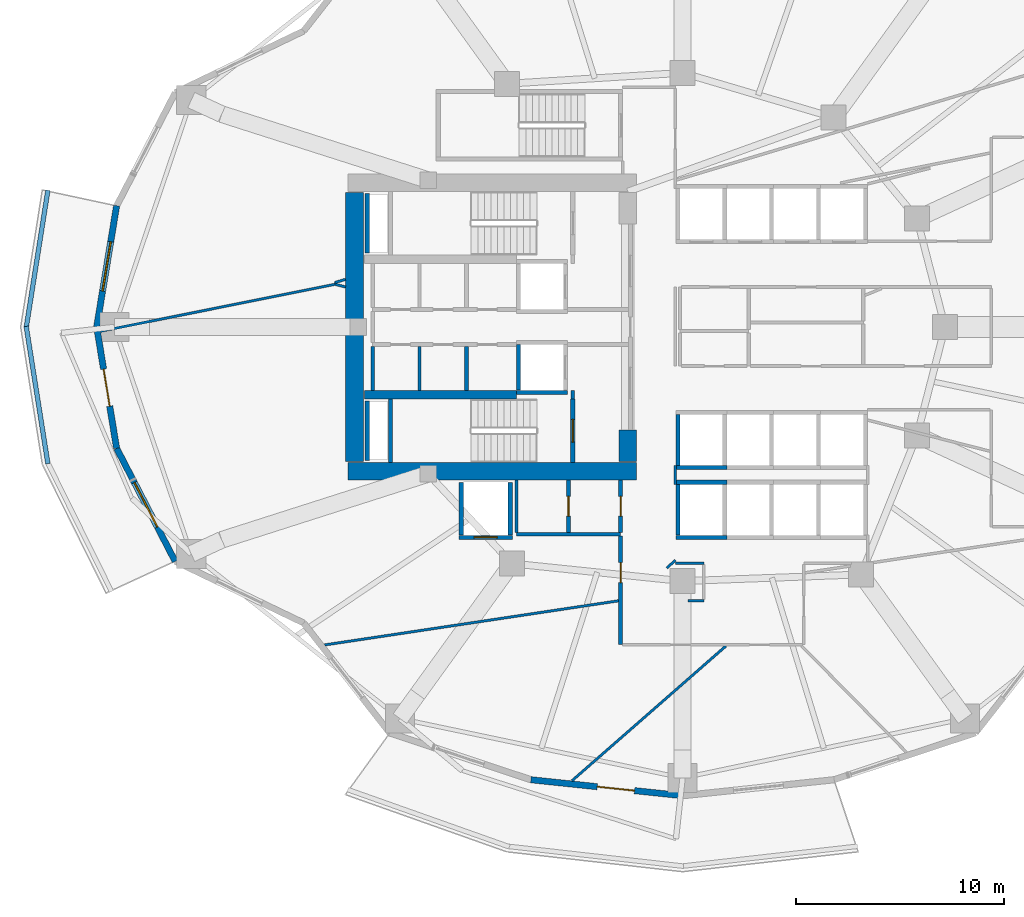
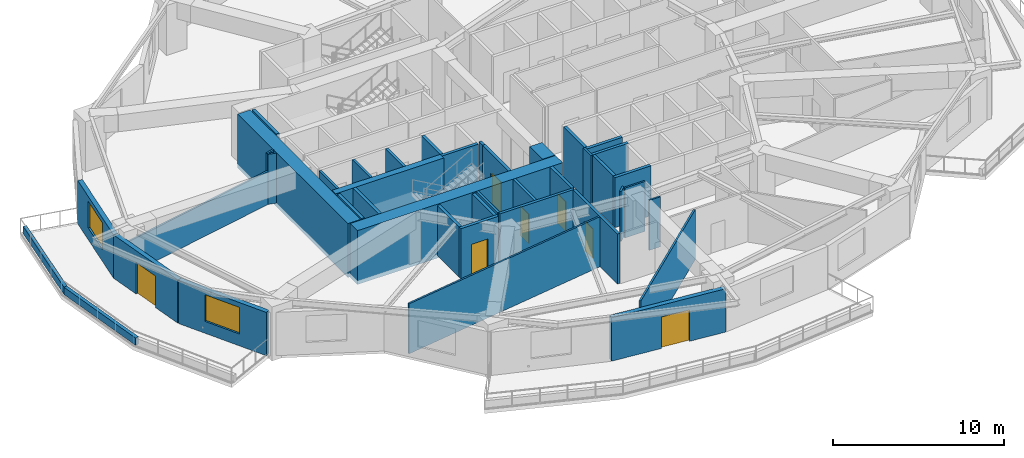
# One storey, part 3 of 13: 42 walls, 7 doors, 2 windows, 9 openings.
"""IFC4 building model written with IfcOpenShell, lengths in metres."""

from ifc_helpers import new_model, si_unit, direction, frame, frame_2d, origin, place, context, subcontext, project, spatial, rectangle, extrude, material, layer, layer_set, type_object, element, fill, save


model = new_model("IFC4")

# Units and contexts
model_context = context("Model", 3, precision=1e-05, world=origin(), true_north=direction((0.0, 1.0)))
body_context = subcontext(model_context, "Body", "Model", "MODEL_VIEW")
ifc_project = project(units=[si_unit("LENGTHUNIT", "METRE"), si_unit("AREAUNIT", "SQUARE_METRE"), si_unit("VOLUMEUNIT", "CUBIC_METRE"), si_unit("PLANEANGLEUNIT", "RADIAN"), si_unit("MASSUNIT", "GRAM", prefix="KILO")], contexts=[model_context])

# Site, building, storey
site_placement = place(None, origin())
site = spatial("IfcSite", under=ifc_project, at=site_placement, CompositionType="ELEMENT")
building_placement = place(site_placement, origin())
building = spatial("IfcBuilding", under=site, at=building_placement, Name="Kolvaren Gate Tower and Convention Centre", CompositionType="ELEMENT")
storey_placement = place(building_placement, frame((0.0, 0.0, 49.60009765625)))
storey = spatial("IfcBuildingStorey", under=building, at=storey_placement, Name="L11", CompositionType="ELEMENT", Elevation=49.60009765625)

# Walls
ifc_material_1 = material(Name="Autoclaved Aerated Masonry Blockwork Class 4 (4.0 MPa)", Category="masonry")
ifc_layer_1 = layer(ifc_material_1, 0.179931640625)
ifc_layer_set_1 = layer_set([ifc_layer_1], Name="Autoclaved Aerated Masonry Blockwork Class 4 (4.0 MPa)")
wall_type_1 = type_object("IfcWallType", Name="ARCH-WL-COMP-180", PredefinedType="SOLIDWALL", material=ifc_layer_set_1)
wall_1_placement = place(storey_placement, frame((24.85009765625, 23.5400390625, 0.0), z_axis=(0.0, 0.0, 1.0), x_axis=(0.0, 1.0, 0.0)))
element("IfcWall", 1, at=wall_1_placement, inside=storey, type_object=wall_type_1, Name="Interior Partition WL-L11-INT-001", PredefinedType="SOLIDWALL", context=body_context, shape_type="SweptSolid", body=[
    extrude(rectangle(XDim=0.419921875, YDim=0.179931640625, at=frame_2d((0.2099609375, 0.0))), origin(), (0.0, 0.0, 1.0), 3.56982421875),
])
wall_2_placement = place(storey_placement, frame((19.75, 23.9619140625, 0.0), z_axis=(0.0, 0.0, 1.0), x_axis=(0.0, 1.0, 0.0)))
element("IfcWall", 2, at=wall_2_placement, inside=storey, type_object=wall_type_1, Name="Interior Partition WL-L11-INT-007", PredefinedType="SOLIDWALL", context=body_context, shape_type="SweptSolid", body=[
    extrude(rectangle(XDim=2.106201171875, YDim=0.179931640625, at=frame_2d((1.05322265625, 0.0))), origin(), (0.0, 0.0, 1.0), 3.56982421875),
])
wall_3_placement = place(storey_placement, frame((22.14990234375, 17.050048828125, 0.0), z_axis=(0.0, 0.0, 1.0), x_axis=(1.0, 0.0, 0.0)))
element("IfcWall", 3, at=wall_3_placement, inside=storey, type_object=wall_type_1, Name="Interior Partition WL-L11-INT-011", PredefinedType="SOLIDWALL", context=body_context, shape_type="SweptSolid", body=[
    extrude(rectangle(XDim=5.0, YDim=0.179931640625, at=frame_2d((2.5, 0.0))), origin(), (0.0, 0.0, 1.0), 3.56982421875),
])

# Wall, opening, door
wall_4_placement = place(storey_placement, frame((24.64990234375, 17.14208984375, 0.0), z_axis=(0.0, 0.0, 1.0), x_axis=(0.0, 1.0, 0.0)))
wall_4 = element("IfcWall", 4, at=wall_4_placement, inside=storey, type_object=wall_type_1, Name="Interior Partition WL-L11-INT-013", PredefinedType="SOLIDWALL", context=body_context, shape_type="SweptSolid", body=[
    extrude(rectangle(XDim=2.505859375, YDim=0.179931640625, at=frame_2d((1.2529296875, 0.0))), origin(), (0.0, 0.0, 1.0), 3.56982421875),
])
opening_1_placement = place(wall_4_placement, frame((0.778076171875, 0.0, 0.0)))
opening_1 = element("IfcOpeningElement", 5, at=opening_1_placement, cuts=wall_4, Name="Opening DR-01", PredefinedType="OPENING", context=body_context, shape_type="SweptSolid", body=[
    extrude(rectangle(XDim=0.949951171875, YDim=2.10009765625, at=frame_2d((0.47509765625, 1.050048828125))), frame((0.0, 0.099853515625, 0.0), z_axis=(0.0, -1.0, 0.0), x_axis=(1.0, 0.0, 0.0)), (0.0, 0.0, 1.0), 0.199951171875),
])
ifc_material_2 = material(Name="Painted Architectural Steelwork ASTM A500 Grade C 345 MPa", Category="steel")
door_type_1 = type_object("IfcDoorType", Name="ARCH-DR-RISER-950", OperationType="SINGLE_SWING_RIGHT", PredefinedType="DOOR", material=ifc_material_2)
door_1_placement = place(opening_1_placement, origin())
door_1 = element("IfcDoor", 6, at=door_1_placement, inside=storey, type_object=door_type_1, Name="West Valet Store Door", OperationType="SINGLE_SWING_RIGHT", OverallHeight=2.10009765625, OverallWidth=0.949951171875, PredefinedType="DOOR", context=body_context, shape_type="SweptSolid", body=[
    extrude(rectangle(XDim=0.949951171875, YDim=2.10009765625, at=frame_2d((0.47509765625, 1.050048828125))), frame((0.0, 0.02490234375, 0.0), z_axis=(0.0, -1.0, 0.0), x_axis=(1.0, 0.0, 0.0)), (0.0, 0.0, 1.0), 0.050048828125),
])
fill(opening_1, door_1)

wall_5_placement = place(storey_placement, frame((27.14990234375, 11.75, 0.0), z_axis=(0.0, 0.0, 1.0), x_axis=(0.0, 1.0, 0.0)))
wall_5 = element("IfcWall", 7, at=wall_5_placement, inside=storey, type_object=wall_type_1, Name="Interior Partition WL-L11-INT-014", PredefinedType="SOLIDWALL", context=body_context, shape_type="SweptSolid", body=[
    extrude(rectangle(XDim=5.2080078125, YDim=0.179931640625, at=frame_2d((2.60400390625, 0.0))), origin(), (0.0, 0.0, 1.0), 3.56982421875),
])
opening_2_placement = place(wall_5_placement, frame((2.983154296875, 0.0, 0.0)))
opening_2 = element("IfcOpeningElement", 8, at=opening_2_placement, cuts=wall_5, Name="Opening DR-01", PredefinedType="OPENING", context=body_context, shape_type="SweptSolid", body=[
    extrude(rectangle(XDim=0.949951171875, YDim=2.10009765625, at=frame_2d((0.47509765625, 1.050048828125))), frame((0.0, 0.099853515625, 0.0), z_axis=(0.0, -1.0, 0.0), x_axis=(1.0, 0.0, 0.0)), (0.0, 0.0, 1.0), 0.199951171875),
])
door_2_placement = place(opening_2_placement, origin())
door_2 = element("IfcDoor", 9, at=door_2_placement, inside=storey, type_object=door_type_1, Name="Staff Dining and Bistro Cafe Door", OperationType="SINGLE_SWING_LEFT", OverallHeight=2.10009765625, OverallWidth=0.949951171875, PredefinedType="DOOR", context=body_context, shape_type="SweptSolid", body=[
    extrude(rectangle(XDim=0.949951171875, YDim=2.10009765625, at=frame_2d((0.47509765625, 1.050048828125))), frame((0.0, 0.02490234375, 0.0), z_axis=(0.0, -1.0, 0.0), x_axis=(1.0, 0.0, 0.0)), (0.0, 0.0, 1.0), 0.050048828125),
])
fill(opening_2, door_2)

wall_6_placement = place(storey_placement, frame((27.14990234375, 17.14208984375, 0.0), z_axis=(0.0, 0.0, 1.0), x_axis=(0.0, 1.0, 0.0)))
wall_6 = element("IfcWall", 10, at=wall_6_placement, inside=storey, type_object=wall_type_1, Name="Interior Partition WL-L11-INT-014 (2)", PredefinedType="SOLIDWALL", context=body_context, shape_type="SweptSolid", body=[
    extrude(rectangle(XDim=2.505859375, YDim=0.179931640625, at=frame_2d((1.2529296875, 0.0))), origin(), (0.0, 0.0, 1.0), 3.56982421875),
])
opening_3_placement = place(wall_6_placement, frame((0.778076171875, 0.0, 0.0)))
opening_3 = element("IfcOpeningElement", 11, at=opening_3_placement, cuts=wall_6, Name="Opening DR-01", PredefinedType="OPENING", context=body_context, shape_type="SweptSolid", body=[
    extrude(rectangle(XDim=0.949951171875, YDim=2.10009765625, at=frame_2d((0.47509765625, 1.050048828125))), frame((0.0, 0.099853515625, 0.0), z_axis=(0.0, -1.0, 0.0), x_axis=(1.0, 0.0, 0.0)), (0.0, 0.0, 1.0), 0.199951171875),
])
door_3_placement = place(opening_3_placement, origin())
door_3 = element("IfcDoor", 12, at=door_3_placement, inside=storey, type_object=door_type_1, Name="Metering Switch Room Door", OperationType="SINGLE_SWING_RIGHT", OverallHeight=2.10009765625, OverallWidth=0.949951171875, PredefinedType="DOOR", context=body_context, shape_type="SweptSolid", body=[
    extrude(rectangle(XDim=0.949951171875, YDim=2.10009765625, at=frame_2d((0.47509765625, 1.050048828125))), frame((0.0, 0.02490234375, 0.0), z_axis=(0.0, -1.0, 0.0), x_axis=(1.0, 0.0, 0.0)), (0.0, 0.0, 1.0), 0.050048828125),
])
fill(opening_3, door_3)

# Walls
ifc_material_3 = material(Name="Fire-Rated Acoustic Gypsum Stud Partition", Category="gypsum")
ifc_layer_2 = layer(ifc_material_3, 0.1201171875)
ifc_layer_set_2 = layer_set([ifc_layer_2], Name="Fire-Rated Acoustic Gypsum Stud Partition")
wall_type_2 = type_object("IfcWallType", Name="ARCH-WL-PART-120", PredefinedType="PARTITIONING", material=ifc_layer_set_2)
wall_7_placement = place(storey_placement, frame((29.780029296875, 15.64990234375, 0.0), z_axis=(0.0, 0.0, 1.0), x_axis=(1.0, 0.0, 0.0)))
element("IfcWall", 13, at=wall_7_placement, inside=storey, type_object=wall_type_2, Name="Interior Partition WL-L11-INT-022", PredefinedType="PARTITIONING", context=body_context, shape_type="SweptSolid", body=[
    extrude(rectangle(XDim=1.369873046875, YDim=0.1201171875, at=frame_2d((0.68505859375, 0.0))), origin(), (0.0, 0.0, 1.0), 3.56982421875),
])
wall_8_placement = place(storey_placement, frame((29.780029296875, 19.43994140625, 0.0), z_axis=(0.0, 0.0, 1.0), x_axis=(0.0, 1.0, 0.0)))
element("IfcWall", 14, at=wall_8_placement, inside=storey, type_object=wall_type_2, Name="Interior Partition WL-L11-INT-028", PredefinedType="PARTITIONING", context=body_context, shape_type="SweptSolid", body=[
    extrude(rectangle(XDim=0.920166015625, YDim=0.1201171875, at=frame_2d((0.4599609375, 0.0))), origin(), (0.0, 0.0, 1.0), 3.56982421875),
])
wall_9_placement = place(storey_placement, frame((29.366943359375, 15.422119140625, 0.0), z_axis=(0.0, 0.0, 1.0), x_axis=(0.730667420492, 0.682733564893, 0.0)))
element("IfcWall", 15, at=wall_9_placement, inside=storey, type_object=wall_type_2, Name="Interior Partition WL-L11-INT-044", PredefinedType="PARTITIONING", context=body_context, shape_type="SweptSolid", body=[
    extrude(rectangle(XDim=0.5654296875, YDim=0.1201171875, at=frame_2d((0.28271484375, 0.0))), origin(), (0.0, 0.0, 1.0), 3.56982421875),
])
wall_10_placement = place(storey_placement, frame((30.39111328125, 13.85009765625, 0.0), z_axis=(0.0, 0.0, 1.0), x_axis=(1.0, 0.0, 0.0)))
element("IfcWall", 16, at=wall_10_placement, inside=storey, type_object=wall_type_2, Name="Interior Partition WL-L11-INT-045", PredefinedType="PARTITIONING", context=body_context, shape_type="SweptSolid", body=[
    extrude(rectangle(XDim=0.7587890625, YDim=0.1201171875, at=frame_2d((0.37939453125, 0.0))), origin(), (0.0, 0.0, 1.0), 3.56982421875),
])
wall_11_placement = place(storey_placement, frame((2.1875, 26.796142578125, 0.0), z_axis=(0.0, 0.0, 1.0), x_axis=(0.980506966672, 0.196484320768, 0.0)))
element("IfcWall", 17, at=wall_11_placement, inside=storey, type_object=wall_type_2, Name="Interior Partition WL-L11-INT-047", PredefinedType="PARTITIONING", context=body_context, shape_type="SweptSolid", body=[
    extrude(rectangle(XDim=11.47607421875, YDim=0.1201171875, at=frame_2d((5.738037109375, 0.0))), origin(), (0.0, 0.0, 1.0), 2.3623046875),
])
wall_12_placement = place(storey_placement, frame((13.43994140625, 29.051025390625, 0.0), z_axis=(0.0, 0.0, 1.0), x_axis=(0.968953319551, -0.24724373507, 0.0)))
element("IfcWall", 18, at=wall_12_placement, inside=storey, type_object=wall_type_2, Name="Interior Partition WL-L11-INT-050", PredefinedType="PARTITIONING", context=body_context, shape_type="SweptSolid", body=[
    extrude(rectangle(XDim=0.5244140625, YDim=0.1201171875, at=frame_2d((0.26220703125, 0.0))), origin(), (0.0, 0.0, 1.0), 3.56982421875),
])
wall_13_placement = place(storey_placement, frame((12.948974609375, 11.73828125, 0.0), z_axis=(0.0, 0.0, 1.0), x_axis=(0.988910356152, 0.148513660969, 0.0)))
element("IfcWall", 19, at=wall_13_placement, inside=storey, type_object=wall_type_2, Name="Interior Partition WL-L11-INT-053", PredefinedType="PARTITIONING", context=body_context, shape_type="SweptSolid", body=[
    extrude(rectangle(XDim=14.267333984375, YDim=0.1201171875, at=frame_2d((7.1337890625, 0.0))), origin(), (0.0, 0.0, 1.0), 3.56982421875),
])
wall_14_placement = place(storey_placement, frame((24.810791015625, 5.212646484375, 0.0), z_axis=(0.0, 0.0, 1.0), x_axis=(0.752447459414, 0.658652276107, 0.0)))
element("IfcWall", 20, at=wall_14_placement, inside=storey, type_object=wall_type_2, Name="Interior Partition WL-L11-INT-055", PredefinedType="PARTITIONING", context=body_context, shape_type="SweptSolid", body=[
    extrude(rectangle(XDim=9.831298828125, YDim=0.1201171875, at=frame_2d((4.91552734375, 0.0))), origin(), (0.0, 0.0, 1.0), 3.56982421875),
])
wall_15_placement = place(storey_placement, frame((13.424072265625, 29.13037109375, 0.0), z_axis=(0.0, 0.0, 1.0), x_axis=(0.957801713673, 0.287429778008, 0.0)))
element("IfcWall", 21, at=wall_15_placement, inside=storey, type_object=wall_type_2, Name="Interior Partition WL-L11-INT-060", PredefinedType="PARTITIONING", context=body_context, shape_type="SweptSolid", body=[
    extrude(rectangle(XDim=0.547119140625, YDim=0.1201171875, at=frame_2d((0.2734375, 0.0))), origin(), (0.0, 0.0, 1.0), 3.56982421875),
])
ifc_material_4 = material(Name="Piedmont Cream Honed Limestone Cladding", Category="masonry")
ifc_layer_3 = layer(ifc_material_4, 0.219970703125)
ifc_layer_set_3 = layer_set([ifc_layer_3], Name="Piedmont Cream Honed Limestone Cladding")
wall_type_3 = type_object("IfcWallType", Name="ARCH-WL-PLANTER-220", PredefinedType="PARAPET", material=ifc_layer_set_3)
for number, where, z_axis, x_axis, name in (
    (22, (-1.381591796875, 26.970703125, 0.0), (0.0, 0.0, 1.0), (0.155842315528, 0.987781945923, 0.0), "Vertical-Forest Balcony Stone Planter Kerb PK-L11-2.1"),
    (23, (-1.381591796875, 27.029296875, 0.0), (0.0, 0.0, 1.0), (0.155842315528, -0.987781945923, 0.0), "Vertical-Forest Balcony Stone Planter Kerb PK-L11-2.2"),
):
    element("IfcWall", number, at=place(storey_placement, frame(where, z_axis=z_axis, x_axis=x_axis)), inside=storey, type_object=wall_type_3, Name=name, PredefinedType="PARAPET", context=body_context, shape_type="SweptSolid", body=[
        extrude(rectangle(XDim=6.672119140625, YDim=0.219970703125, at=frame_2d((3.3359375, 0.0))), origin(), (0.0, 0.0, 1.0), 0.52001953125),
    ])
ifc_layer_4 = layer(ifc_material_1, 0.199951171875)
ifc_layer_set_4 = layer_set([ifc_layer_4], Name="Autoclaved Aerated Masonry Blockwork Class 4 (4.0 MPa)")
wall_type_4 = type_object("IfcWallType", Name="ARCH-WL-SHAFT-200", PredefinedType="SOLIDWALL", material=ifc_layer_set_4)
wall_16_placement = place(storey_placement, frame((22.14990234375, 23.860107421875, 0.0), z_axis=(0.0, 0.0, 1.0), x_axis=(1.0, 0.0, 0.0)))
element("IfcWall", 24, at=wall_16_placement, inside=storey, type_object=wall_type_4, Name="Elevator FF-02 L11 Fire Shaft Wall S", PredefinedType="SOLIDWALL", context=body_context, shape_type="SweptSolid", body=[
    extrude(rectangle(XDim=2.4501953125, YDim=0.199951171875, at=frame_2d((1.22509765625, 0.0))), origin(), (0.0, 0.0, 1.0), 3.56982421875),
])
wall_17_placement = place(storey_placement, frame((22.25, 23.969970703125, 0.0), z_axis=(0.0, 0.0, 1.0), x_axis=(0.0, 1.0, 0.0)))
element("IfcWall", 25, at=wall_17_placement, inside=storey, type_object=wall_type_4, Name="Elevator FF-02 L11 Fire Shaft Wall W", PredefinedType="SOLIDWALL", context=body_context, shape_type="SweptSolid", body=[
    extrude(rectangle(XDim=2.179931640625, YDim=0.199951171875, at=frame_2d((1.08984375, 0.0))), origin(), (0.0, 0.0, 1.0), 3.56982421875),
])

# Wall, opening, door
wall_18_placement = place(storey_placement, frame((19.39990234375, 16.89990234375, 0.0), z_axis=(0.0, 0.0, 1.0), x_axis=(1.0, 0.0, 0.0)))
wall_18 = element("IfcWall", 26, at=wall_18_placement, inside=storey, type_object=wall_type_4, Name="Elevator SV-01 L11 Fire Shaft Wall S", PredefinedType="SOLIDWALL", context=body_context, shape_type="SweptSolid", body=[
    extrude(rectangle(XDim=2.550048828125, YDim=0.199951171875, at=frame_2d((1.27490234375, 0.0))), origin(), (0.0, 0.0, 1.0), 3.56982421875),
])
opening_4_placement = place(wall_18_placement, frame((0.72509765625, 0.0, 0.0)))
opening_4 = element("IfcOpeningElement", 27, at=opening_4_placement, cuts=wall_18, Name="Opening LD", PredefinedType="OPENING", context=body_context, shape_type="SweptSolid", body=[
    extrude(rectangle(XDim=1.10009765625, YDim=2.199951171875, at=frame_2d((0.550048828125, 1.10009765625))), frame((0.0, 0.10986328125, 0.0), z_axis=(0.0, -1.0, 0.0), x_axis=(1.0, 0.0, 0.0)), (0.0, 0.0, 1.0), 0.219970703125),
])
ifc_material_5 = material(Name="Brushed Stainless Steel Grade 316L", Category="steel")
door_type_2 = type_object("IfcDoorType", Name="ARCH-DR-LIFT-1100", OperationType="SLIDING_TO_LEFT", PredefinedType="DOOR", material=ifc_material_5)
door_4_placement = place(opening_4_placement, origin())
door_4 = element("IfcDoor", 28, at=door_4_placement, inside=storey, type_object=door_type_2, Name="Elevator SV-01 L11 Sliding Landing Door", OperationType="SLIDING_TO_LEFT", OverallHeight=2.199951171875, OverallWidth=1.10009765625, PredefinedType="DOOR", context=body_context, shape_type="SweptSolid", body=[
    extrude(rectangle(XDim=1.10009765625, YDim=2.199951171875, at=frame_2d((0.550048828125, 1.10009765625))), frame((0.0, 0.02490234375, 0.0), z_axis=(0.0, -1.0, 0.0), x_axis=(1.0, 0.0, 0.0)), (0.0, 0.0, 1.0), 0.050048828125),
])
fill(opening_4, door_4)

# Walls
for number, where, z_axis, x_axis, name in (
    (29, (19.5, 17.010009765625, 0.0), (0.0, 0.0, 1.0), (0.0, 1.0, 0.0), "Elevator SV-01 L11 Fire Shaft Wall W"),
    (30, (21.85009765625, 17.010009765625, 0.0), (0.0, 0.0, 1.0), (0.0, 1.0, 0.0), "Elevator SV-01 L11 Fire Shaft Wall E"),
):
    element("IfcWall", number, at=place(storey_placement, frame(where, z_axis=z_axis, x_axis=x_axis)), inside=storey, type_object=wall_type_4, Name=name, PredefinedType="SOLIDWALL", context=body_context, shape_type="SweptSolid", body=[
        extrude(rectangle(XDim=2.530029296875, YDim=0.199951171875, at=frame_2d((1.26513671875, 0.0))), origin(), (0.0, 0.0, 1.0), 3.56982421875),
    ])
for number, where, z_axis, x_axis, name in (
    (31, (29.800048828125, 19.550048828125, 0.0), (0.0, 0.0, 1.0), (1.0, 0.0, 0.0), "Elevator PL-05 L11 Fire Shaft Wall N"),
    (32, (29.800048828125, 16.89990234375, 0.0), (0.0, 0.0, 1.0), (1.0, 0.0, 0.0), "Elevator PL-05 L11 Fire Shaft Wall S"),
):
    element("IfcWall", number, at=place(storey_placement, frame(where, z_axis=z_axis, x_axis=x_axis)), inside=storey, type_object=wall_type_4, Name=name, PredefinedType="SOLIDWALL", context=body_context, shape_type="SweptSolid", body=[
        extrude(rectangle(XDim=2.449951171875, YDim=0.199951171875, at=frame_2d((1.22509765625, 0.0))), origin(), (0.0, 0.0, 1.0), 3.56982421875),
    ])
wall_19_placement = place(storey_placement, frame((29.89990234375, 17.010009765625, 0.0), z_axis=(0.0, 0.0, 1.0), x_axis=(0.0, 1.0, 0.0)))
element("IfcWall", 33, at=wall_19_placement, inside=storey, type_object=wall_type_4, Name="Elevator PL-05 L11 Fire Shaft Wall W", PredefinedType="SOLIDWALL", context=body_context, shape_type="SweptSolid", body=[
    extrude(rectangle(XDim=2.429931640625, YDim=0.199951171875, at=frame_2d((1.21484375, 0.0))), origin(), (0.0, 0.0, 1.0), 3.56982421875),
])
wall_20_placement = place(storey_placement, frame((29.800048828125, 20.25, 0.0), z_axis=(0.0, 0.0, 1.0), x_axis=(1.0, 0.0, 0.0)))
element("IfcWall", 34, at=wall_20_placement, inside=storey, type_object=wall_type_4, Name="Elevator PL-09 L11 Fire Shaft Wall S", PredefinedType="SOLIDWALL", context=body_context, shape_type="SweptSolid", body=[
    extrude(rectangle(XDim=2.449951171875, YDim=0.199951171875, at=frame_2d((1.22509765625, 0.0))), origin(), (0.0, 0.0, 1.0), 3.56982421875),
])
wall_21_placement = place(storey_placement, frame((29.89990234375, 20.360107421875, 0.0), z_axis=(0.0, 0.0, 1.0), x_axis=(0.0, 1.0, 0.0)))
element("IfcWall", 35, at=wall_21_placement, inside=storey, type_object=wall_type_4, Name="Elevator PL-09 L11 Fire Shaft Wall W", PredefinedType="SOLIDWALL", context=body_context, shape_type="SweptSolid", body=[
    extrude(rectangle(XDim=2.429931640625, YDim=0.199951171875, at=frame_2d((1.21484375, 0.0))), origin(), (0.0, 0.0, 1.0), 3.56982421875),
])
for number, where, z_axis, x_axis, name in (
    (36, (14.989990234375, 30.550048828125, 0.0), (0.0, 0.0, 1.0), (0.0, 1.0, 0.0), "Vertical Shaft HVR L11 EI-120 Enclosure Wall W"),
    (37, (14.989990234375, 20.60009765625, 0.0), (0.0, 0.0, 1.0), (0.0, 1.0, 0.0), "Vertical Shaft MPR L11 EI-120 Enclosure Wall W"),
):
    element("IfcWall", number, at=place(storey_placement, frame(where, z_axis=z_axis, x_axis=x_axis)), inside=storey, type_object=wall_type_4, Name=name, PredefinedType="SOLIDWALL", context=body_context, shape_type="SweptSolid", body=[
        extrude(rectangle(XDim=2.849853515625, YDim=0.199951171875, at=frame_2d((1.4248046875, 0.0))), origin(), (0.0, 0.0, 1.0), 3.56982421875),
    ])

# Wall, opening, window
ifc_layer_5 = layer(ifc_material_4, 0.300048828125)
ifc_layer_set_5 = layer_set([ifc_layer_5], Name="Piedmont Cream Honed Limestone Cladding")
wall_type_5 = type_object("IfcWallType", Name="ARCH-WL-STONE-300", PredefinedType="SOLIDWALL", material=ifc_layer_set_5)
wall_22_placement = place(storey_placement, frame((2.0, 27.0, 0.0), z_axis=(0.0, 0.0, 1.0), x_axis=(0.162366057843, 0.98673059305, 0.0)))
wall_22 = element("IfcWall", 38, at=wall_22_placement, inside=storey, type_object=wall_type_5, Name="Tower L11 Honed Stone Spandrel Wall EW-11", PredefinedType="SOLIDWALL", context=body_context, shape_type="SweptSolid", body=[
    extrude(rectangle(XDim=5.90185546875, YDim=0.300048828125, at=frame_2d((2.950927734375, 0.0))), origin(), (0.0, 0.0, 1.0), 3.093017578125),
])
opening_5_placement = place(wall_22_placement, frame((1.7509765625, 0.0, 0.85009765625)))
opening_5 = element("IfcOpeningElement", 39, at=opening_5_placement, cuts=wall_22, Name="Opening W-01", PredefinedType="OPENING", context=body_context, shape_type="SweptSolid", body=[
    extrude(rectangle(XDim=2.39990234375, YDim=1.89990234375, at=frame_2d((1.199951171875, 0.949951171875))), frame((0.0, 0.159912109375, 0.0), z_axis=(0.0, -1.0, 0.0), x_axis=(1.0, 0.0, 0.0)), (0.0, 0.0, 1.0), 0.320068359375),
])
ifc_material_6 = material(Name="Low-E Triple Insulated Glazing Unit 44 mm", Category="glass")
window_type = type_object("IfcWindowType", Name="ARCH-WN-OFF-2400", PartitioningType="SINGLE_PANEL", PredefinedType="WINDOW", material=ifc_material_6)
window_1_placement = place(opening_5_placement, origin())
window_1 = element("IfcWindow", 40, at=window_1_placement, inside=storey, type_object=window_type, Name="Tower L11 Punched Stone Facade Window W-11", OverallHeight=1.89990234375, OverallWidth=2.39990234375, PartitioningType="SINGLE_PANEL", PredefinedType="WINDOW", context=body_context, shape_type="SweptSolid", body=[
    extrude(rectangle(XDim=2.39990234375, YDim=1.89990234375, at=frame_2d((1.199951171875, 0.949951171875))), frame((0.0, 0.030029296875, 0.0), z_axis=(0.0, -1.0, 0.0), x_axis=(1.0, 0.0, 0.0)), (0.0, 0.0, 1.0), 0.06005859375),
])
fill(opening_5, window_1)

# Wall, opening, door
wall_23_placement = place(storey_placement, frame((2.0, 27.0, 0.0), z_axis=(0.0, 0.0, 1.0), x_axis=(0.162366057843, -0.98673059305, 0.0)))
wall_23 = element("IfcWall", 41, at=wall_23_placement, inside=storey, type_object=wall_type_5, Name="Tower L11 Honed Stone Spandrel Wall EW-12", PredefinedType="SOLIDWALL", context=body_context, shape_type="SweptSolid", body=[
    extrude(rectangle(XDim=5.90185546875, YDim=0.300048828125, at=frame_2d((2.950927734375, 0.0))), origin(), (0.0, 0.0, 1.0), 3.093017578125),
])
opening_6_placement = place(wall_23_placement, frame((2.051025390625, 0.0, 0.0)))
opening_6 = element("IfcOpeningElement", 42, at=opening_6_placement, cuts=wall_23, Name="Opening DB-01", PredefinedType="OPENING", context=body_context, shape_type="SweptSolid", body=[
    extrude(rectangle(XDim=1.800048828125, YDim=2.25, at=frame_2d((0.89990234375, 1.125))), frame((0.0, 0.159912109375, 0.0), z_axis=(0.0, -1.0, 0.0), x_axis=(1.0, 0.0, 0.0)), (0.0, 0.0, 1.0), 0.320068359375),
])
ifc_material_7 = material(Name="Anodized Architectural Aluminium Alloy 6063-T6", Category="aluminium")
door_type_3 = type_object("IfcDoorType", Name="ARCH-DR-BALC-1800", OperationType="SLIDING_TO_LEFT", PredefinedType="DOOR", material=ifc_material_7)
door_5_placement = place(opening_6_placement, frame((1.800048828125, 0.0, 0.0), z_axis=(0.0, 0.0, 1.0), x_axis=(-1.0, 0.0, 0.0)))
door_5 = element("IfcDoor", 43, at=door_5_placement, inside=storey, type_object=door_type_3, Name="Planted Sky Terrace Access Door DB-L11-12", OperationType="SLIDING_TO_LEFT", OverallHeight=2.25, OverallWidth=1.800048828125, PredefinedType="DOOR", context=body_context, shape_type="SweptSolid", body=[
    extrude(rectangle(XDim=1.800048828125, YDim=2.25, at=frame_2d((0.89990234375, 1.125))), frame((0.0, 0.02490234375, 0.0), z_axis=(0.0, -1.0, 0.0), x_axis=(1.0, 0.0, 0.0)), (0.0, 0.0, 1.0), 0.050048828125),
])
fill(opening_6, door_5)

# Wall, opening, window
wall_24_placement = place(storey_placement, frame((2.958251953125, 21.176513671875, 0.0), z_axis=(0.0, 0.0, 1.0), x_axis=(0.459809804413, -0.88801742312, 0.0)))
wall_24 = element("IfcWall", 44, at=wall_24_placement, inside=storey, type_object=wall_type_5, Name="Tower L11 Honed Stone Spandrel Wall EW-13", PredefinedType="SOLIDWALL", context=body_context, shape_type="SweptSolid", body=[
    extrude(rectangle(XDim=6.11083984375, YDim=0.300048828125, at=frame_2d((3.055419921875, 0.0))), origin(), (0.0, 0.0, 1.0), 3.093017578125),
])
opening_7_placement = place(wall_24_placement, frame((1.85498046875, 0.0, 0.85009765625)))
opening_7 = element("IfcOpeningElement", 45, at=opening_7_placement, cuts=wall_24, Name="Opening W-01", PredefinedType="OPENING", context=body_context, shape_type="SweptSolid", body=[
    extrude(rectangle(XDim=2.39990234375, YDim=1.89990234375, at=frame_2d((1.199951171875, 0.949951171875))), frame((0.0, 0.159912109375, 0.0), z_axis=(0.0, -1.0, 0.0), x_axis=(1.0, 0.0, 0.0)), (0.0, 0.0, 1.0), 0.320068359375),
])
window_2_placement = place(opening_7_placement, origin())
window_2 = element("IfcWindow", 46, at=window_2_placement, inside=storey, type_object=window_type, Name="Tower L11 Punched Stone Facade Window W-13", OverallHeight=1.89990234375, OverallWidth=2.39990234375, PartitioningType="SINGLE_PANEL", PredefinedType="WINDOW", context=body_context, shape_type="SweptSolid", body=[
    extrude(rectangle(XDim=2.39990234375, YDim=1.89990234375, at=frame_2d((1.199951171875, 0.949951171875))), frame((0.0, 0.030029296875, 0.0), z_axis=(0.0, -1.0, 0.0), x_axis=(1.0, 0.0, 0.0)), (0.0, 0.0, 1.0), 0.06005859375),
])
fill(opening_7, window_2)

# Wall, opening, door
wall_25_placement = place(storey_placement, frame((22.845703125, 5.2666015625, 0.0), z_axis=(0.0, 0.0, 1.0), x_axis=(0.994500334317, -0.104733399844, 0.0)))
wall_25 = element("IfcWall", 47, at=wall_25_placement, inside=storey, type_object=wall_type_5, Name="Tower L11 Honed Stone Spandrel Wall EW-17", PredefinedType="SOLIDWALL", context=body_context, shape_type="SweptSolid", body=[
    extrude(rectangle(XDim=7.319580078125, YDim=0.300048828125, at=frame_2d((3.65966796875, 0.0))), origin(), (0.0, 0.0, 1.0), 3.093017578125),
])
opening_8_placement = place(wall_25_placement, frame((3.199951171875, 0.0, 0.0)))
opening_8 = element("IfcOpeningElement", 48, at=opening_8_placement, cuts=wall_25, Name="Opening DB-01", PredefinedType="OPENING", context=body_context, shape_type="SweptSolid", body=[
    extrude(rectangle(XDim=1.800048828125, YDim=2.25, at=frame_2d((0.89990234375, 1.125))), frame((0.0, 0.159912109375, 0.0), z_axis=(0.0, -1.0, 0.0), x_axis=(1.0, 0.0, 0.0)), (0.0, 0.0, 1.0), 0.320068359375),
])
door_6_placement = place(opening_8_placement, frame((1.800048828125, 0.0, 0.0), z_axis=(0.0, 0.0, 1.0), x_axis=(-1.0, 0.0, 0.0)))
door_6 = element("IfcDoor", 49, at=door_6_placement, inside=storey, type_object=door_type_3, Name="Planted Sky Terrace Access Door DB-L11-17", OperationType="SLIDING_TO_LEFT", OverallHeight=2.25, OverallWidth=1.800048828125, PredefinedType="DOOR", context=body_context, shape_type="SweptSolid", body=[
    extrude(rectangle(XDim=1.800048828125, YDim=2.25, at=frame_2d((0.89990234375, 1.125))), frame((0.0, 0.02490234375, 0.0), z_axis=(0.0, -1.0, 0.0), x_axis=(1.0, 0.0, 0.0)), (0.0, 0.0, 1.0), 0.050048828125),
])
fill(opening_8, door_6)

# Walls
ifc_material_8 = material(Name="Moisture-Resistant Cement-Board Acoustic Partition", Category="gypsum")
ifc_layer_6 = layer(ifc_material_8, 0.14990234375)
ifc_layer_set_6 = layer_set([ifc_layer_6], Name="Moisture-Resistant Cement-Board Acoustic Partition")
wall_type_6 = type_object("IfcWallType", Name="ARCH-WL-WET-150", PredefinedType="PARTITIONING", material=ifc_layer_set_6)
for number, where, z_axis, x_axis, name in (
    (50, (15.25, 23.9619140625, 0.0), (0.0, 0.0, 1.0), (0.0, 1.0, 0.0), "Interior Partition WL-L11-INT-006"),
    (51, (17.5, 23.9619140625, 0.0), (0.0, 0.0, 1.0), (0.0, 1.0, 0.0), "Interior Partition WL-L11-INT-009"),
):
    element("IfcWall", number, at=place(storey_placement, frame(where, z_axis=z_axis, x_axis=x_axis)), inside=storey, type_object=wall_type_6, Name=name, PredefinedType="PARTITIONING", context=body_context, shape_type="SweptSolid", body=[
        extrude(rectangle(XDim=2.106201171875, YDim=0.14990234375, at=frame_2d((1.05322265625, 0.0))), origin(), (0.0, 0.0, 1.0), 3.56982421875),
    ])
wall_26_placement = place(storey_placement, frame((22.14990234375, 17.14208984375, 0.0), z_axis=(0.0, 0.0, 1.0), x_axis=(0.0, 1.0, 0.0)))
element("IfcWall", 52, at=wall_26_placement, inside=storey, type_object=wall_type_6, Name="Interior Partition WL-L11-INT-012", PredefinedType="PARTITIONING", context=body_context, shape_type="SweptSolid", body=[
    extrude(rectangle(XDim=2.505859375, YDim=0.14990234375, at=frame_2d((1.2529296875, 0.0))), origin(), (0.0, 0.0, 1.0), 3.56982421875),
])
ifc_material_9 = material(Name="Concrete C50/60", Category="concrete")
ifc_layer_7 = layer(ifc_material_9, 0.419921875)
ifc_layer_set_7 = layer_set([ifc_layer_7], Name="Concrete C50/60")
wall_type_7 = type_object("IfcWallType", Name="STR-WL-CONV-420", PredefinedType="SHEAR", material=ifc_layer_set_7)
wall_27_placement = place(storey_placement, frame((14.85009765625, 23.75, -0.280029296875), z_axis=(0.0, 0.0, 1.0), x_axis=(1.0, 0.0, 0.0)))
element("IfcWall", 53, at=wall_27_placement, inside=storey, type_object=wall_type_7, Name="Tower L11 Offset Core Shear Wall WS", PredefinedType="SHEAR", context=body_context, shape_type="SweptSolid", body=[
    extrude(rectangle(XDim=7.2998046875, YDim=0.419921875, at=frame_2d((3.64990234375, 0.0))), origin(), (0.0, 0.0, 1.0), 3.849853515625),
])
ifc_material_10 = material(Name="Concrete C70/85", Category="concrete")
ifc_layer_8 = layer(ifc_material_10, 0.85009765625)
ifc_layer_set_8 = layer_set([ifc_layer_8], Name="Concrete C70/85")
wall_type_8 = type_object("IfcWallType", Name="STR-WL-CORE-850", PredefinedType="SHEAR", material=ifc_layer_set_8)
wall_28_placement = place(storey_placement, frame((14.074951171875, 20.074951171875, -0.280029296875), z_axis=(0.0, 0.0, 1.0), x_axis=(1.0, 0.0, 0.0)))
element("IfcWall", 54, at=wall_28_placement, inside=storey, type_object=wall_type_8, Name="Tower L11 Offset Core Shear Wall S", PredefinedType="SHEAR", context=body_context, shape_type="SweptSolid", body=[
    extrude(rectangle(XDim=13.85009765625, YDim=0.85009765625, at=frame_2d((6.925048828125, 0.0))), origin(), (0.0, 0.0, 1.0), 3.849853515625),
])
wall_29_placement = place(storey_placement, frame((14.375, 20.550048828125, -0.280029296875), z_axis=(0.0, 0.0, 1.0), x_axis=(0.0, 1.0, 0.0)))
element("IfcWall", 55, at=wall_29_placement, inside=storey, type_object=wall_type_8, Name="Tower L11 Offset Core Shear Wall W", PredefinedType="SHEAR", context=body_context, shape_type="SweptSolid", body=[
    extrude(rectangle(XDim=12.89990234375, YDim=0.85009765625, at=frame_2d((6.449951171875, 0.0))), origin(), (0.0, 0.0, 1.0), 3.849853515625),
])
wall_30_placement = place(storey_placement, frame((27.5, 20.550048828125, -0.280029296875), z_axis=(0.0, 0.0, 1.0), x_axis=(0.0, 1.0, 0.0)))
element("IfcWall", 56, at=wall_30_placement, inside=storey, type_object=wall_type_8, Name="Tower L11 Offset Core Shear Wall ES", PredefinedType="SHEAR", context=body_context, shape_type="SweptSolid", body=[
    extrude(rectangle(XDim=1.5, YDim=0.85009765625, at=frame_2d((0.75, 0.0))), origin(), (0.0, 0.0, 1.0), 3.849853515625),
])

# Wall, opening, door
ifc_layer_9 = layer(ifc_material_9, 0.199951171875)
ifc_layer_set_9 = layer_set([ifc_layer_9], Name="Concrete C50/60")
wall_type_9 = type_object("IfcWallType", Name="STR-WL-SHAFT-200", PredefinedType="SHEAR", material=ifc_layer_set_9)
wall_31_placement = place(storey_placement, frame((24.85009765625, 20.501953125, -0.280029296875), z_axis=(0.0, 0.0, 1.0), x_axis=(0.0, 1.0, 0.0)))
wall_31 = element("IfcWall", 57, at=wall_31_placement, inside=storey, type_object=wall_type_9, Name="Tower South Exit Stair ST-T2 L11 Structural Shear Enclosure Wall NEAR", PredefinedType="SHEAR", context=body_context, shape_type="SweptSolid", body=[
    extrude(rectangle(XDim=3.0380859375, YDim=0.199951171875, at=frame_2d((1.51904296875, 0.0))), origin(), (0.0, 0.0, 1.0), 3.849853515625),
])
opening_9_placement = place(wall_31_placement, frame((0.968994140625, 0.0, 0.280029296875)))
opening_9 = element("IfcOpeningElement", 58, at=opening_9_placement, cuts=wall_31, Name="Opening DS-01", PredefinedType="OPENING", context=body_context, shape_type="SweptSolid", body=[
    extrude(rectangle(XDim=1.10009765625, YDim=2.14990234375, at=frame_2d((0.550048828125, 1.074951171875))), frame((0.0, 0.10986328125, 0.0), z_axis=(0.0, -1.0, 0.0), x_axis=(1.0, 0.0, 0.0)), (0.0, 0.0, 1.0), 0.219970703125),
])
door_type_4 = type_object("IfcDoorType", Name="ARCH-DR-STAIR-1100", OperationType="SINGLE_SWING_LEFT", PredefinedType="DOOR", material=ifc_material_2)
door_7_placement = place(opening_9_placement, origin())
door_7 = element("IfcDoor", 59, at=door_7_placement, inside=storey, type_object=door_type_4, Name="Tower South Exit Stair ST-T2 L11 Fire Exit Stair Door", OperationType="SINGLE_SWING_LEFT", OverallHeight=2.14990234375, OverallWidth=1.10009765625, PredefinedType="DOOR", context=body_context, shape_type="SweptSolid", body=[
    extrude(rectangle(XDim=1.10009765625, YDim=2.14990234375, at=frame_2d((0.550048828125, 1.074951171875))), frame((0.0, 0.02490234375, 0.0), z_axis=(0.0, -1.0, 0.0), x_axis=(1.0, 0.0, 0.0)), (0.0, 0.0, 1.0), 0.050048828125),
])
fill(opening_9, door_7)

# Wall
wall_32_placement = place(storey_placement, frame((16.10009765625, 20.501953125, -0.280029296875), z_axis=(0.0, 0.0, 1.0), x_axis=(0.0, 1.0, 0.0)))
element("IfcWall", 60, at=wall_32_placement, inside=storey, type_object=wall_type_9, Name="Tower South Exit Stair ST-T2 L11 Structural Shear Enclosure Wall FAR", PredefinedType="SHEAR", context=body_context, shape_type="SweptSolid", body=[
    extrude(rectangle(XDim=3.0361328125, YDim=0.199951171875, at=frame_2d((1.51806640625, 0.0))), origin(), (0.0, 0.0, 1.0), 3.849853515625),
])

save(model, "model.ifc")
